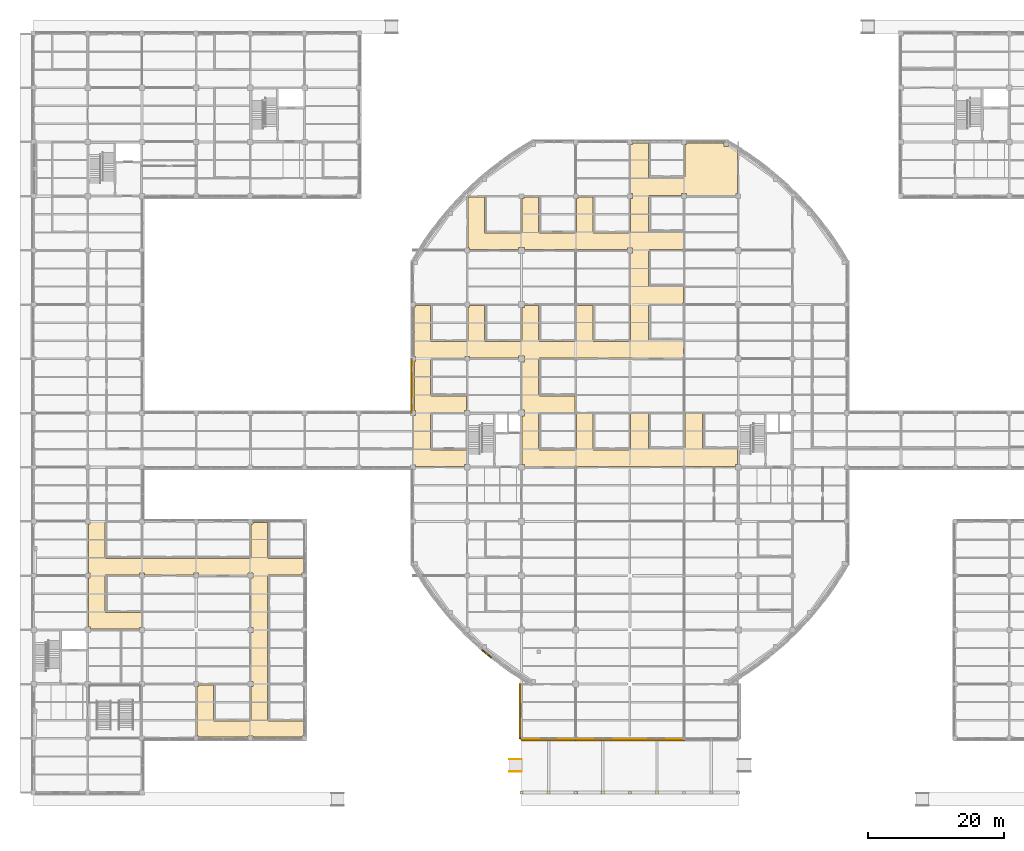
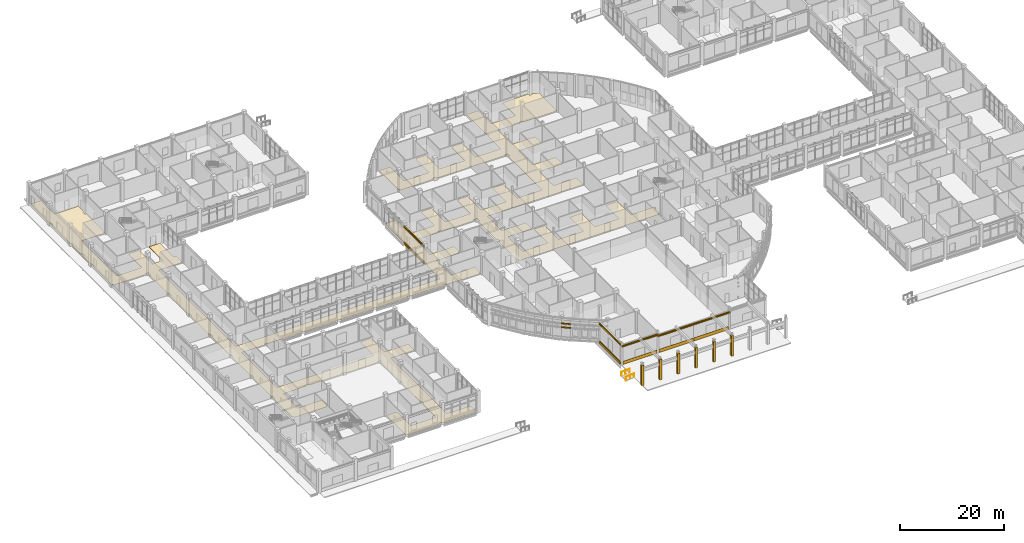
# One storey, part 95 of 105: 19 coverings, 7 shading devices, 2 railings.
"""IFC4 building model written with IfcOpenShell, lengths in metres."""

from ifc_helpers import new_model, si_unit, derived_unit, direction, frame, origin, origin_2d, place, context, subcontext, project, spatial, polyline, rectangle, circle, outline, extrude, material, layer, layer_set, material_profile, profile_set, type_object, element, save


model = new_model("IFC4")

# Units and contexts
model_context = context("Model", 3, precision=1e-05, world=origin(), true_north=direction((0.0, 1.0)))
body_context = subcontext(model_context, "Body", "Model", "MODEL_VIEW")
ifc_project = project(units=[si_unit("LENGTHUNIT", "METRE"), si_unit("AREAUNIT", "SQUARE_METRE"), si_unit("VOLUMEUNIT", "CUBIC_METRE"), si_unit("PLANEANGLEUNIT", "RADIAN"), si_unit("MASSUNIT", "GRAM", prefix="KILO"), derived_unit("THERMALTRANSMITTANCEUNIT", [(si_unit("MASSUNIT", "GRAM", prefix="KILO"), 1), (si_unit("TIMEUNIT", "SECOND"), -3), (si_unit("THERMODYNAMICTEMPERATUREUNIT", "KELVIN"), -1)])], contexts=[model_context])

# Site, building, storey
site_placement = place(None, origin())
site = spatial("IfcSite", under=ifc_project, at=site_placement, CompositionType="ELEMENT")
building_placement = place(site_placement, origin())
building = spatial("IfcBuilding", under=site, at=building_placement, Name="Veyamyaing Civic Hall", CompositionType="ELEMENT")
storey_placement = place(building_placement, origin())
storey = spatial("IfcBuildingStorey", under=building, at=storey_placement, Name="L00", CompositionType="ELEMENT", Elevation=0.0)

# Coverings
ifc_material_1 = material(Name="Buff sandstone ashlar cladding", Category="masonry")
ifc_layer_1 = layer(ifc_material_1, 0.050048828125, Name="Buff sandstone ashlar cladding")
ifc_layer_set_1 = layer_set([ifc_layer_1], Name="Buff sandstone ashlar cladding")
covering_type_1 = type_object("IfcCoveringType", Name="CL-01", PredefinedType="CLADDING", material=ifc_layer_set_1)
covering_1_placement = place(storey_placement, frame((55.826416015625, 60.0, 0.044921875), z_axis=(0.0, 0.0, 1.0), x_axis=(0.0, 1.0, 0.0)))
element("IfcCovering", 1, at=covering_1_placement, inside=storey, type_object=covering_type_1, Name="Facade spandrel cladding CL-01 L00 W 8.8", PredefinedType="CLADDING", context=body_context, shape_type="SweptSolid", body=[
    extrude(rectangle(XDim=7.25, YDim=0.050048828125, at=origin_2d()), origin(), (0.0, 0.0, 1.0), 0.75),
])
covering_2_placement = place(storey_placement, frame((76.0, 7.826416015625, 0.044921875), z_axis=(0.0, 0.0, 1.0), x_axis=(1.0, 0.0, 0.0)))
element("IfcCovering", 2, at=covering_2_placement, inside=storey, type_object=covering_type_1, Name="Facade spandrel cladding CL-01 L00 S 10.2", PredefinedType="CLADDING", context=body_context, shape_type="SweptSolid", body=[
    extrude(rectangle(XDim=7.552001953125, YDim=0.050048828125, at=origin_2d()), origin(), (0.0, 0.0, 1.0), 0.75),
])
covering_3_placement = place(storey_placement, frame((71.826416015625, 12.089111328125, 0.044921875), z_axis=(0.0, 0.0, 1.0), x_axis=(0.0, 1.0, 0.0)))
element("IfcCovering", 3, at=covering_3_placement, inside=storey, type_object=covering_type_1, Name="Facade spandrel cladding CL-01 L00 W 10.2", PredefinedType="CLADDING", context=body_context, shape_type="SweptSolid", body=[
    extrude(rectangle(XDim=7.741455078125, YDim=0.050048828125, at=origin_2d()), origin(), (0.0, 0.0, 1.0), 0.75),
])
for number, where, z_axis, x_axis, name in (
    (4, (84.092041015625, 7.826416015625, 0.044921875), (0.0, 0.0, 1.0), (1.0, 0.0, 0.0), "Facade spandrel cladding CL-01 L00 S 11.2"),
    (5, (91.907958984375, 7.826416015625, 0.044921875), (0.0, 0.0, 1.0), (1.0, 0.0, 0.0), "Facade spandrel cladding CL-01 L00 S 12.2"),
):
    element("IfcCovering", number, at=place(storey_placement, frame(where, z_axis=z_axis, x_axis=x_axis)), inside=storey, type_object=covering_type_1, Name=name, PredefinedType="CLADDING", context=body_context, shape_type="SweptSolid", body=[
        extrude(rectangle(XDim=7.736083984375, YDim=0.050048828125, at=origin_2d()), origin(), (0.0, 0.0, 1.0), 0.75),
    ])
ifc_material_2 = material(Name="White powder-coated aluminium 6063-T6", Category="aluminium")
ifc_layer_2 = layer(ifc_material_2, 0.2099609375, Name="White powder-coated aluminium 6063-T6")
ifc_layer_set_2 = layer_set([ifc_layer_2], Name="White powder-coated aluminium 6063-T6")
covering_type_2 = type_object("IfcCoveringType", Name="CL-03", PredefinedType="CLADDING", material=ifc_layer_set_2)
for number, where, z_axis, x_axis, name in (
    (6, (55.760009765625, 60.0, 4.234130859375), (0.0, 0.0, 1.0), (0.0, 1.0, 0.0), "Continuous white head fascia ribbon CL-03 L00 W 8.8"),
    (7, (55.760009765625, 60.0, 0.280029296875), (0.0, 0.0, 1.0), (0.0, 1.0, 0.0), "Continuous white sill fascia ribbon CL-03 L00 W 8.8"),
    (8, (76.0, 7.760009765625, 4.239013671875), (0.0, 0.0, 1.0), (1.0, 0.0, 0.0), "Continuous white head fascia ribbon CL-03 L00 S 10.2"),
    (9, (71.760009765625, 12.0, 4.655029296875), (0.0, 0.0, 1.0), (0.0, 1.0, 0.0), "Continuous white head fascia ribbon CL-03 L00 W 10.2"),
    (10, (71.760009765625, 12.0, 0.280029296875), (0.0, 0.0, 1.0), (0.0, 1.0, 0.0), "Continuous white sill fascia ribbon CL-03 L00 W 10.2"),
    (11, (84.0, 7.760009765625, 3.89404296875), (0.0, 0.0, 1.0), (1.0, 0.0, 0.0), "Continuous white head fascia ribbon CL-03 L00 S 11.2"),
    (12, (92.0, 7.760009765625, 3.89404296875), (0.0, 0.0, 1.0), (1.0, 0.0, 0.0), "Continuous white head fascia ribbon CL-03 L00 S 12.2"),
):
    element("IfcCovering", number, at=place(storey_placement, frame(where, z_axis=z_axis, x_axis=x_axis)), inside=storey, type_object=covering_type_2, Name=name, PredefinedType="CLADDING", context=body_context, shape_type="SweptSolid", body=[
        extrude(rectangle(XDim=8.1201171875, YDim=0.2099609375, at=origin_2d()), origin(), (0.0, 0.0, 1.0), 0.39990234375),
    ])
for number, where, z_axis, x_axis, name in (
    (13, (72.0, 0.0, 0.02001953125), (0.0, 0.0, 1.0), (1.0, 0.0, 0.0), "Slender white portal colonnade column casing CL-03 1"),
    (14, (76.0, 0.0, 0.02001953125), (0.0, 0.0, 1.0), (1.0, 0.0, 0.0), "Slender white portal colonnade column casing CL-03 2"),
    (15, (80.0, 0.0, 0.02001953125), (0.0, 0.0, 1.0), (1.0, 0.0, 0.0), "Slender white portal colonnade column casing CL-03 3"),
    (16, (84.0, 0.0, 0.02001953125), (0.0, 0.0, 1.0), (1.0, 0.0, 0.0), "Slender white portal colonnade column casing CL-03 4"),
    (17, (88.0, 0.0, 0.02001953125), (0.0, 0.0, 1.0), (1.0, 0.0, 0.0), "Slender white portal colonnade column casing CL-03 5"),
    (18, (92.0, 0.0, 0.02001953125), (0.0, 0.0, 1.0), (1.0, 0.0, 0.0), "Slender white portal colonnade column casing CL-03 6"),
):
    element("IfcCovering", number, at=place(storey_placement, frame(where, z_axis=z_axis, x_axis=x_axis)), inside=storey, type_object=covering_type_2, Name=name, PredefinedType="CLADDING", context=body_context, shape_type="SweptSolid", body=[
        extrude(rectangle(XDim=0.47998046875, YDim=0.47998046875, at=origin_2d()), origin(), (0.0, 0.0, 1.0), 4.760009765625),
    ])
ifc_material_3 = material(Name="Polished Mandalay marble and terrazzo flooring", Category="masonry")
ifc_layer_3 = layer(ifc_material_3, 0.030029296875, Name="Polished Mandalay marble and terrazzo flooring")
ifc_layer_set_3 = layer_set([ifc_layer_3], Name="Polished Mandalay marble and terrazzo flooring")
covering_type_3 = type_object("IfcCoveringType", Name="FLR-01", PredefinedType="FLOORING", material=ifc_layer_set_3)
covering_4_placement = place(storey_placement, origin())
element("IfcCovering", 19, at=covering_4_placement, inside=storey, type_object=covering_type_3, Name="Stone and terrazzo flooring FLR-01 L00-C02", PredefinedType="FLOORING", context=body_context, shape_type="SweptSolid", body=[
    extrude(outline(polyline([(26.56689453125, 10.594482421875), (26.586669921875, 10.57275390625), (26.61181640625, 10.5576171875), (26.64990234375, 10.550048828125), (32.0, 10.550048828125), (32.038330078125, 10.5576171875), (32.0634765625, 10.57275390625), (32.0830078125, 10.594482421875), (32.095703125, 10.62109375), (32.10009765625, 10.64990234375), (32.10009765625, 15.639892578125), (32.360107421875, 15.639892578125), (32.360107421875, 16.360107421875), (32.10009765625, 16.360107421875), (32.10009765625, 23.639892578125), (32.360107421875, 23.639892578125), (32.360107421875, 24.360107421875), (32.10009765625, 24.360107421875), (32.10009765625, 31.639892578125), (32.360107421875, 31.639892578125), (32.360107421875, 32.360107421875), (31.639892578125, 32.360107421875), (31.639892578125, 32.10009765625), (24.360107421875, 32.10009765625), (24.360107421875, 32.360107421875), (23.639892578125, 32.360107421875), (23.639892578125, 32.10009765625), (16.360107421875, 32.10009765625), (16.360107421875, 32.360107421875), (15.639892578125, 32.360107421875), (15.639892578125, 32.10009765625), (10.64990234375, 32.10009765625), (10.62109375, 32.095703125), (10.594482421875, 32.0830078125), (10.57275390625, 32.0634765625), (10.5576171875, 32.038330078125), (10.550048828125, 32.0), (10.550048828125, 26.64990234375), (10.55419921875, 26.62109375), (10.56689453125, 26.594482421875), (10.586669921875, 26.57275390625), (10.602783203125, 26.561767578125), (10.62109375, 26.55419921875), (10.64990234375, 26.550048828125), (15.89990234375, 26.550048828125), (15.89990234375, 24.360107421875), (15.639892578125, 24.360107421875), (15.639892578125, 24.10009765625), (8.409912109375, 24.10009765625), (8.409912109375, 24.409912109375), (8.10009765625, 24.409912109375), (8.10009765625, 31.639892578125), (8.360107421875, 31.639892578125), (8.360107421875, 32.360107421875), (8.10009765625, 32.360107421875), (8.10009765625, 39.639892578125), (8.360107421875, 39.639892578125), (8.360107421875, 40.360107421875), (8.10009765625, 40.360107421875), (8.10009765625, 47.639892578125), (8.360107421875, 47.639892578125), (8.360107421875, 48.360107421875), (8.10009765625, 48.360107421875), (8.10009765625, 55.639892578125), (8.360107421875, 55.639892578125), (8.360107421875, 56.360107421875), (8.10009765625, 56.360107421875), (8.10009765625, 63.639892578125), (8.360107421875, 63.639892578125), (8.360107421875, 64.360107421875), (8.10009765625, 64.360107421875), (8.10009765625, 71.639892578125), (8.360107421875, 71.639892578125), (8.360107421875, 72.360107421875), (8.10009765625, 72.360107421875), (8.10009765625, 79.614990234375), (8.385009765625, 79.614990234375), (8.385009765625, 80.385009765625), (7.614990234375, 80.385009765625), (7.614990234375, 80.10009765625), (0.385009765625, 80.10009765625), (0.385009765625, 80.385009765625), (0.179931640625, 80.385009765625), (0.179931640625, 87.614990234375), (0.385009765625, 87.614990234375), (0.385009765625, 88.385009765625), (0.179931640625, 88.385009765625), (0.179931640625, 91.68994140625), (0.485107421875, 91.68994140625), (0.485107421875, 92.31005859375), (0.179931640625, 92.31005859375), (0.179931640625, 95.614990234375), (0.385009765625, 95.614990234375), (0.385009765625, 96.385009765625), (0.179931640625, 96.385009765625), (0.179931640625, 103.614990234375), (0.385009765625, 103.614990234375), (0.385009765625, 104.385009765625), (0.179931640625, 104.385009765625), (0.179931640625, 111.614990234375), (0.385009765625, 111.614990234375), (0.385009765625, 111.820068359375), (2.550048828125, 111.820068359375), (2.550048828125, 106.64990234375), (2.55419921875, 106.62109375), (2.561767578125, 106.602783203125), (2.579345703125, 106.579345703125), (2.594482421875, 106.56689453125), (2.62109375, 106.55419921875), (2.64990234375, 106.550048828125), (7.89990234375, 106.550048828125), (7.89990234375, 104.385009765625), (7.614990234375, 104.385009765625), (7.614990234375, 103.614990234375), (7.89990234375, 103.614990234375), (7.89990234375, 96.409912109375), (7.590087890625, 96.409912109375), (7.590087890625, 96.10009765625), (2.64990234375, 96.10009765625), (2.61181640625, 96.09228515625), (2.586669921875, 96.077392578125), (2.56689453125, 96.0556640625), (2.552001953125, 96.01953125), (2.550048828125, 82.64990234375), (2.55419921875, 82.62109375), (2.56689453125, 82.594482421875), (2.579345703125, 82.579345703125), (2.602783203125, 82.561767578125), (2.62109375, 82.55419921875), (2.64990234375, 82.550048828125), (8.0, 82.550048828125), (8.029052734375, 82.55419921875), (8.0556640625, 82.56689453125), (8.07080078125, 82.579345703125), (8.088134765625, 82.602783203125), (8.095703125, 82.62109375), (8.10009765625, 82.64990234375), (8.10009765625, 87.590087890625), (8.409912109375, 87.590087890625), (8.409912109375, 87.89990234375), (10.550048828125, 87.89990234375), (10.550048828125, 82.64990234375), (10.5576171875, 82.61181640625), (10.57275390625, 82.586669921875), (10.594482421875, 82.56689453125), (10.62109375, 82.55419921875), (10.64990234375, 82.550048828125), (12.699951171875, 82.550048828125), (12.73828125, 82.5576171875), (12.763427734375, 82.57275390625), (12.783203125, 82.594482421875), (12.795654296875, 82.62109375), (12.800048828125, 82.64990234375), (12.800048828125, 87.89990234375), (15.25, 87.89990234375), (15.25048828125, 82.64013671875), (15.257568359375, 82.61181640625), (15.279296875, 82.579345703125), (15.302978515625, 82.561767578125), (15.33056640625, 82.552001953125), (15.820068359375, 82.550048828125), (15.820068359375, 80.360107421875), (15.639892578125, 80.360107421875), (15.639892578125, 80.10009765625), (10.64990234375, 80.10009765625), (10.61181640625, 80.09228515625), (10.579345703125, 80.07080078125), (10.5576171875, 80.038330078125), (10.550537109375, 80.009765625), (10.550048828125, 50.64990234375), (10.5576171875, 50.61181640625), (10.57275390625, 50.586669921875), (10.594482421875, 50.56689453125), (10.630615234375, 50.552001953125), (56.0, 50.550048828125), (56.029052734375, 50.55419921875), (56.047119140625, 50.561767578125), (56.07080078125, 50.579345703125), (56.0830078125, 50.594482421875), (56.095703125, 50.62109375), (56.10009765625, 50.64990234375), (56.10009765625, 55.639892578125), (56.360107421875, 55.639892578125), (56.360107421875, 56.360107421875), (56.179931640625, 56.360107421875), (56.179931640625, 63.639892578125), (56.360107421875, 63.639892578125), (56.360107421875, 64.360107421875), (56.179931640625, 64.360107421875), (56.179931640625, 71.639892578125), (56.360107421875, 71.639892578125), (56.360107421875, 71.89990234375), (58.550048828125, 71.89990234375), (58.550048828125, 66.64990234375), (58.55419921875, 66.62109375), (58.57275390625, 66.586669921875), (58.602783203125, 66.561767578125), (58.630615234375, 66.552001953125), (64.0, 66.550048828125), (64.038330078125, 66.5576171875), (64.07080078125, 66.579345703125), (64.09228515625, 66.61181640625), (64.10009765625, 66.64990234375), (64.10009765625, 71.639892578125), (64.360107421875, 71.639892578125), (64.360107421875, 71.89990234375), (66.550048828125, 71.89990234375), (66.550048828125, 66.64990234375), (66.55419921875, 66.62109375), (66.57275390625, 66.586669921875), (66.594482421875, 66.56689453125), (66.630615234375, 66.552001953125), (72.0, 66.550048828125), (72.038330078125, 66.5576171875), (72.07080078125, 66.579345703125), (72.09228515625, 66.61181640625), (72.10009765625, 66.64990234375), (72.10009765625, 71.56494140625), (72.43505859375, 71.56494140625), (72.43505859375, 71.89990234375), (74.550048828125, 71.89990234375), (74.550048828125, 66.64990234375), (74.55419921875, 66.62109375), (74.56689453125, 66.594482421875), (74.594482421875, 66.56689453125), (74.62109375, 66.55419921875), (74.64990234375, 66.550048828125), (80.0, 66.550048828125), (80.038330078125, 66.5576171875), (80.07080078125, 66.579345703125), (80.09228515625, 66.61181640625), (80.10009765625, 66.64990234375), (80.10009765625, 71.79638671875), (80.208984375, 71.79638671875), (80.208984375, 71.89990234375), (82.550048828125, 71.89990234375), (82.550048828125, 66.64990234375), (82.55419921875, 66.62109375), (82.561767578125, 66.602783203125), (82.579345703125, 66.579345703125), (82.594482421875, 66.56689453125), (82.62109375, 66.55419921875), (82.64990234375, 66.550048828125), (88.0, 66.550048828125), (88.029052734375, 66.55419921875), (88.0634765625, 66.57275390625), (88.0830078125, 66.594482421875), (88.09814453125, 66.630615234375), (88.10009765625, 79.639892578125), (88.360107421875, 79.639892578125), (88.360107421875, 80.360107421875), (87.639892578125, 80.360107421875), (87.639892578125, 80.10009765625), (80.208984375, 80.10009765625), (80.208984375, 80.20361328125), (79.791015625, 80.20361328125), (79.791015625, 80.10009765625), (72.43505859375, 80.10009765625), (72.43505859375, 80.43505859375), (71.56494140625, 80.43505859375), (71.56494140625, 80.10009765625), (64.360107421875, 80.10009765625), (64.360107421875, 80.360107421875), (64.10009765625, 80.360107421875), (64.10009765625, 87.850341796875), (64.127197265625, 87.872802734375), (64.149658203125, 87.89990234375), (66.550048828125, 87.89990234375), (66.550048828125, 82.64990234375), (66.55419921875, 82.62109375), (66.57275390625, 82.586669921875), (66.594482421875, 82.56689453125), (66.630615234375, 82.552001953125), (72.0, 82.550048828125), (72.038330078125, 82.5576171875), (72.07080078125, 82.579345703125), (72.09228515625, 82.61181640625), (72.10009765625, 82.64990234375), (72.10009765625, 87.639892578125), (72.360107421875, 87.639892578125), (72.360107421875, 87.89990234375), (74.550048828125, 87.89990234375), (74.550048828125, 82.64990234375), (74.55419921875, 82.62109375), (74.56689453125, 82.594482421875), (74.594482421875, 82.56689453125), (74.62109375, 82.55419921875), (74.64990234375, 82.550048828125), (80.0, 82.550048828125), (80.029052734375, 82.55419921875), (80.0556640625, 82.56689453125), (80.07080078125, 82.579345703125), (80.088134765625, 82.602783203125), (80.095703125, 82.62109375), (80.10009765625, 82.64990234375), (80.10009765625, 87.639892578125), (80.360107421875, 87.639892578125), (80.360107421875, 87.89990234375), (82.550048828125, 87.89990234375), (82.550048828125, 82.64990234375), (82.5576171875, 82.61181640625), (82.579345703125, 82.579345703125), (82.61181640625, 82.5576171875), (82.64990234375, 82.550048828125), (88.01953125, 82.552001953125), (88.0556640625, 82.56689453125), (88.077392578125, 82.586669921875), (88.095703125, 82.62109375), (88.10009765625, 82.64990234375), (88.10009765625, 87.639892578125), (88.360107421875, 87.639892578125), (88.360107421875, 88.360107421875), (88.10009765625, 88.360107421875), (88.10009765625, 95.639892578125), (88.360107421875, 95.639892578125), (88.360107421875, 95.820068359375), (90.75, 95.820068359375), (90.75, 90.85009765625), (90.757568359375, 90.811767578125), (90.779296875, 90.779296875), (90.811767578125, 90.757568359375), (90.85009765625, 90.75), (96.0, 90.75), (96.038330078125, 90.757568359375), (96.07080078125, 90.779296875), (96.09228515625, 90.811767578125), (96.10009765625, 90.85009765625), (96.10009765625, 95.639892578125), (96.360107421875, 95.639892578125), (96.360107421875, 95.820068359375), (101.910888671875, 95.820068359375), (101.910888671875, 95.326416015625), (102.53076171875, 95.326416015625), (102.53076171875, 95.7294921875), (103.89990234375, 94.903076171875), (103.89990234375, 88.360107421875), (103.639892578125, 88.360107421875), (103.639892578125, 88.10009765625), (96.360107421875, 88.10009765625), (96.360107421875, 88.360107421875), (95.639892578125, 88.360107421875), (95.639892578125, 88.10009765625), (90.85009765625, 88.10009765625), (90.821044921875, 88.095703125), (90.79443359375, 88.0830078125), (90.766845703125, 88.0556640625), (90.75439453125, 88.029052734375), (90.75, 88.0), (90.75, 82.85009765625), (90.757568359375, 82.811767578125), (90.779296875, 82.779296875), (90.811767578125, 82.757568359375), (90.85009765625, 82.75), (95.89990234375, 82.75), (95.89990234375, 80.20361328125), (95.791015625, 80.20361328125), (95.791015625, 80.10009765625), (90.85009765625, 80.10009765625), (90.821044921875, 80.095703125), (90.802978515625, 80.088134765625), (90.779296875, 80.07080078125), (90.766845703125, 80.0556640625), (90.75439453125, 80.029052734375), (90.75, 80.0), (90.75, 74.85009765625), (90.75439453125, 74.821044921875), (90.766845703125, 74.79443359375), (90.79443359375, 74.766845703125), (90.821044921875, 74.75439453125), (90.85009765625, 74.75), (95.89990234375, 74.75), (95.89990234375, 72.20361328125), (95.791015625, 72.20361328125), (95.791015625, 72.10009765625), (90.85009765625, 72.10009765625), (90.811767578125, 72.09228515625), (90.779296875, 72.07080078125), (90.757568359375, 72.038330078125), (90.75, 72.0), (90.751953125, 66.83056640625), (90.766845703125, 66.79443359375), (90.78662109375, 66.772705078125), (90.821044921875, 66.75439453125), (90.85009765625, 66.75), (95.89990234375, 66.75), (95.89990234375, 64.20361328125), (95.791015625, 64.20361328125), (95.791015625, 64.10009765625), (80.208984375, 64.10009765625), (80.208984375, 64.20361328125), (79.791015625, 64.20361328125), (79.791015625, 64.10009765625), (74.64990234375, 64.10009765625), (74.61181640625, 64.09228515625), (74.579345703125, 64.07080078125), (74.5576171875, 64.038330078125), (74.550048828125, 64.0), (74.550048828125, 58.64990234375), (74.5576171875, 58.61181640625), (74.579345703125, 58.579345703125), (74.61181640625, 58.5576171875), (74.64990234375, 58.550048828125), (79.89990234375, 58.550048828125), (79.89990234375, 56.20361328125), (79.791015625, 56.20361328125), (79.791015625, 56.10009765625), (74.64990234375, 56.10009765625), (74.62109375, 56.095703125), (74.602783203125, 56.088134765625), (74.579345703125, 56.07080078125), (74.56689453125, 56.0556640625), (74.55419921875, 56.029052734375), (74.550048828125, 56.0), (74.550048828125, 50.64990234375), (74.55419921875, 50.62109375), (74.56689453125, 50.594482421875), (74.579345703125, 50.579345703125), (74.602783203125, 50.561767578125), (74.62109375, 50.55419921875), (74.64990234375, 50.550048828125), (80.0, 50.550048828125), (80.038330078125, 50.5576171875), (80.07080078125, 50.579345703125), (80.09228515625, 50.61181640625), (80.10009765625, 50.64990234375), (80.10009765625, 55.79638671875), (80.208984375, 55.79638671875), (80.208984375, 55.89990234375), (82.550048828125, 55.89990234375), (82.550048828125, 50.64990234375), (82.55419921875, 50.62109375), (82.56689453125, 50.594482421875), (82.586669921875, 50.57275390625), (82.62109375, 50.55419921875), (82.64990234375, 50.550048828125), (88.0, 50.550048828125), (88.038330078125, 50.5576171875), (88.07080078125, 50.579345703125), (88.09228515625, 50.61181640625), (88.10009765625, 50.64990234375), (88.10009765625, 55.89990234375), (90.75, 55.89990234375), (90.75, 50.85009765625), (90.75439453125, 50.821044921875), (90.76171875, 50.802978515625), (90.779296875, 50.779296875), (90.79443359375, 50.766845703125), (90.821044921875, 50.75439453125), (90.85009765625, 50.75), (96.01953125, 50.751953125), (96.0556640625, 50.766845703125), (96.077392578125, 50.78662109375), (96.09228515625, 50.811767578125), (96.10009765625, 50.85009765625), (96.10009765625, 55.79638671875), (96.208984375, 55.79638671875), (96.208984375, 55.89990234375), (98.75, 55.89990234375), (98.75, 50.85009765625), (98.75439453125, 50.821044921875), (98.766845703125, 50.79443359375), (98.779296875, 50.779296875), (98.802978515625, 50.76171875), (98.821044921875, 50.75439453125), (98.85009765625, 50.75), (103.89990234375, 50.75), (103.89990234375, 48.43505859375), (103.56494140625, 48.43505859375), (103.56494140625, 48.10009765625), (96.208984375, 48.10009765625), (96.208984375, 48.20361328125), (95.791015625, 48.20361328125), (95.791015625, 48.10009765625), (80.208984375, 48.10009765625), (80.208984375, 48.20361328125), (79.791015625, 48.20361328125), (79.791015625, 48.10009765625), (72.43505859375, 48.10009765625), (72.43505859375, 48.43505859375), (72.10009765625, 48.43505859375), (72.10009765625, 55.56494140625), (72.43505859375, 55.56494140625), (72.43505859375, 56.43505859375), (72.10009765625, 56.43505859375), (72.10009765625, 63.56494140625), (72.43505859375, 63.56494140625), (72.43505859375, 64.43505859375), (71.56494140625, 64.43505859375), (71.56494140625, 64.10009765625), (64.360107421875, 64.10009765625), (64.360107421875, 64.360107421875), (63.639892578125, 64.360107421875), (63.639892578125, 64.10009765625), (58.64990234375, 64.10009765625), (58.62109375, 64.095703125), (58.594482421875, 64.0830078125), (58.579345703125, 64.07080078125), (58.561767578125, 64.047119140625), (58.55419921875, 64.029052734375), (58.550048828125, 64.0), (58.550048828125, 58.64990234375), (58.55419921875, 58.62109375), (58.56689453125, 58.594482421875), (58.579345703125, 58.579345703125), (58.602783203125, 58.561767578125), (58.62109375, 58.55419921875), (58.64990234375, 58.550048828125), (63.89990234375, 58.550048828125), (63.89990234375, 56.409912109375), (63.590087890625, 56.409912109375), (63.590087890625, 56.10009765625), (58.64990234375, 56.10009765625), (58.61181640625, 56.09228515625), (58.579345703125, 56.07080078125), (58.5576171875, 56.038330078125), (58.550048828125, 56.0), (58.550048828125, 50.64990234375), (58.55419921875, 50.62109375), (58.56689453125, 50.594482421875), (58.586669921875, 50.57275390625), (58.62109375, 50.55419921875), (58.64990234375, 50.550048828125), (63.89990234375, 50.550048828125), (63.89990234375, 48.409912109375), (63.590087890625, 48.409912109375), (63.590087890625, 48.10009765625), (56.360107421875, 48.10009765625), (56.360107421875, 48.360107421875), (55.639892578125, 48.360107421875), (55.639892578125, 48.179931640625), (48.360107421875, 48.179931640625), (48.360107421875, 48.360107421875), (47.639892578125, 48.360107421875), (47.639892578125, 48.179931640625), (40.360107421875, 48.179931640625), (40.360107421875, 48.360107421875), (39.639892578125, 48.360107421875), (39.639892578125, 48.179931640625), (32.360107421875, 48.179931640625), (32.360107421875, 48.360107421875), (31.639892578125, 48.360107421875), (31.639892578125, 48.179931640625), (24.360107421875, 48.179931640625), (24.360107421875, 48.360107421875), (23.639892578125, 48.360107421875), (23.639892578125, 48.179931640625), (16.360107421875, 48.179931640625), (16.360107421875, 48.360107421875), (15.639892578125, 48.360107421875), (15.639892578125, 48.10009765625), (10.64990234375, 48.10009765625), (10.61181640625, 48.09228515625), (10.579345703125, 48.07080078125), (10.5576171875, 48.038330078125), (10.550048828125, 48.0), (10.550048828125, 34.64990234375), (10.55419921875, 34.62109375), (10.56689453125, 34.594482421875), (10.586669921875, 34.57275390625), (10.61181640625, 34.5576171875), (10.64990234375, 34.550048828125), (32.01953125, 34.552001953125), (32.0556640625, 34.56689453125), (32.077392578125, 34.586669921875), (32.095703125, 34.62109375), (32.10009765625, 34.64990234375), (32.10009765625, 39.639892578125), (32.360107421875, 39.639892578125), (32.360107421875, 39.820068359375), (34.550048828125, 39.820068359375), (34.550048828125, 34.64990234375), (34.5576171875, 34.61181640625), (34.579345703125, 34.579345703125), (34.61181640625, 34.5576171875), (34.64990234375, 34.550048828125), (39.820068359375, 34.550048828125), (39.820068359375, 32.360107421875), (39.639892578125, 32.360107421875), (39.639892578125, 32.10009765625), (34.64990234375, 32.10009765625), (34.61181640625, 32.09228515625), (34.579345703125, 32.07080078125), (34.5576171875, 32.038330078125), (34.550048828125, 32.0), (34.552001953125, 10.630615234375), (34.56689453125, 10.594482421875), (34.586669921875, 10.57275390625), (34.61181640625, 10.5576171875), (34.64990234375, 10.550048828125), (39.820068359375, 10.550048828125), (39.820068359375, 8.360107421875), (39.639892578125, 8.360107421875), (39.639892578125, 8.179931640625), (32.360107421875, 8.179931640625), (32.360107421875, 8.360107421875), (31.639892578125, 8.360107421875), (31.639892578125, 8.179931640625), (24.360107421875, 8.179931640625), (24.360107421875, 8.360107421875), (24.10009765625, 8.360107421875), (24.10009765625, 15.639892578125), (24.360107421875, 15.639892578125), (24.360107421875, 15.89990234375), (26.550048828125, 15.89990234375), (26.550048828125, 10.64990234375), (26.55419921875, 10.62109375), (26.56689453125, 10.594482421875)])), origin(), (0.0, 0.0, 1.0), 0.030029296875),
])

# Railings
ifc_material_4 = material(Name="Steel S355J2", Category="steel")
railing_type = type_object("IfcRailingType", Name="RL-02", PredefinedType="HANDRAIL", material=ifc_material_4)
for number, where, name in (
    (20, (70.199951171875, 3.10009765625, -0.14990234375), "Accessible ramp handrail RMP-PSW.1"),
    (21, (70.199951171875, 4.89990234375, -0.14990234375), "Accessible ramp handrail RMP-PSW.2"),
):
    element("IfcRailing", number, at=place(storey_placement, frame(where)), inside=storey, type_object=railing_type, Name=name, PredefinedType="HANDRAIL", context=body_context, shape_type="SweptSolid", body=[
        extrude(circle(Radius=0.02392578125, at=origin_2d()), frame((0.0, 0.0, 0.89599609375), z_axis=(0.996733628106, 0.0, 0.08075936232), x_axis=(0.0, 1.0, 0.0)), (0.0, 0.0, 1.0), 1.856201171875),
        extrude(circle(Radius=0.02099609375, at=origin_2d()), origin(), (0.0, 0.0, 1.0), 0.871826171875),
        extrude(circle(Radius=0.02099609375, at=origin_2d()), frame((0.925048828125, 0.0, 0.074951171875)), (0.0, 0.0, 1.0), 0.871826171875),
        extrude(circle(Radius=0.02099609375, at=origin_2d()), frame((1.85009765625, 0.0, 0.14990234375)), (0.0, 0.0, 1.0), 0.871826171875),
    ])

# Shading devices
ifc_material_profile = material_profile(ifc_material_2, circle(Radius=0.110107421875, at=origin_2d()), Name="SHADE-TUBE-220")
ifc_profile_set = profile_set([ifc_material_profile], Name="White powder-coated aluminium 6063-T6")
shading_device_type = type_object("IfcShadingDeviceType", Name="SH-01", PredefinedType="USERDEFINED", material=ifc_profile_set)
for number, where, z_axis, x_axis, name in (
    (22, (66.1572265625, 21.0634765625, 2.949951171875), (0.770046377824, -0.637987912111, 0.0), (0.637987912111, 0.770046377824, 0.0), "White corner sunshade ribbon SH-01 L00 SW.10.1"),
    (23, (66.1572265625, 21.0634765625, 3.85009765625), (0.770046377824, -0.637987912111, 0.0), (0.637987912111, 0.770046377824, 0.0), "White corner sunshade ribbon SH-01 L00 SW.10.2"),
):
    element("IfcShadingDevice", number, at=place(storey_placement, frame(where, z_axis=z_axis, x_axis=x_axis)), inside=storey, type_object=shading_device_type, Name=name, ObjectType="SUNSHADE", PredefinedType="USERDEFINED", context=body_context, shape_type="SweptSolid", body=[
        extrude(circle(Radius=0.110107421875, at=origin_2d()), origin(), (0.0, 0.0, 1.0), 1.795166015625),
    ])
shading_device_1_placement = place(storey_placement, frame((55.760009765625, 56.3349609375, 4.39404296875), z_axis=(0.0, 1.0, 0.0), x_axis=(-1.0, 0.0, 0.0)))
element("IfcShadingDevice", 24, at=shading_device_1_placement, inside=storey, type_object=shading_device_type, Name="Horizontal white sunshade ribbon SH-01 L00 W 8.8", ObjectType="SUNSHADE", PredefinedType="USERDEFINED", context=body_context, shape_type="SweptSolid", body=[
    extrude(circle(Radius=0.110107421875, at=origin_2d()), origin(), (0.0, 0.0, 1.0), 7.330078125),
])
shading_device_2_placement = place(storey_placement, frame((72.18408203125, 7.760009765625, 4.39892578125), z_axis=(1.0, 0.0, 0.0), x_axis=(0.0, 1.0, 0.0)))
element("IfcShadingDevice", 25, at=shading_device_2_placement, inside=storey, type_object=shading_device_type, Name="Horizontal white sunshade ribbon SH-01 L00 S 10.2", ObjectType="SUNSHADE", PredefinedType="USERDEFINED", context=body_context, shape_type="SweptSolid", body=[
    extrude(circle(Radius=0.110107421875, at=origin_2d()), origin(), (0.0, 0.0, 1.0), 7.6318359375),
])
shading_device_3_placement = place(storey_placement, frame((71.760009765625, 8.178466796875, 4.81494140625), z_axis=(0.0, 1.0, 0.0), x_axis=(-1.0, 0.0, 0.0)))
element("IfcShadingDevice", 26, at=shading_device_3_placement, inside=storey, type_object=shading_device_type, Name="Horizontal white sunshade ribbon SH-01 L00 W 10.2", ObjectType="SUNSHADE", PredefinedType="USERDEFINED", context=body_context, shape_type="SweptSolid", body=[
    extrude(circle(Radius=0.110107421875, at=origin_2d()), origin(), (0.0, 0.0, 1.0), 7.821533203125),
])
for number, where, z_axis, x_axis, name in (
    (27, (80.18408203125, 7.760009765625, 4.053955078125), (1.0, 0.0, 0.0), (0.0, 1.0, 0.0), "Horizontal white sunshade ribbon SH-01 L00 S 11.2"),
    (28, (88.0, 7.760009765625, 4.053955078125), (1.0, 0.0, 0.0), (0.0, 1.0, 0.0), "Horizontal white sunshade ribbon SH-01 L00 S 12.2"),
):
    element("IfcShadingDevice", number, at=place(storey_placement, frame(where, z_axis=z_axis, x_axis=x_axis)), inside=storey, type_object=shading_device_type, Name=name, ObjectType="SUNSHADE", PredefinedType="USERDEFINED", context=body_context, shape_type="SweptSolid", body=[
        extrude(circle(Radius=0.110107421875, at=origin_2d()), origin(), (0.0, 0.0, 1.0), 7.81591796875),
    ])

save(model, "model.ifc")
